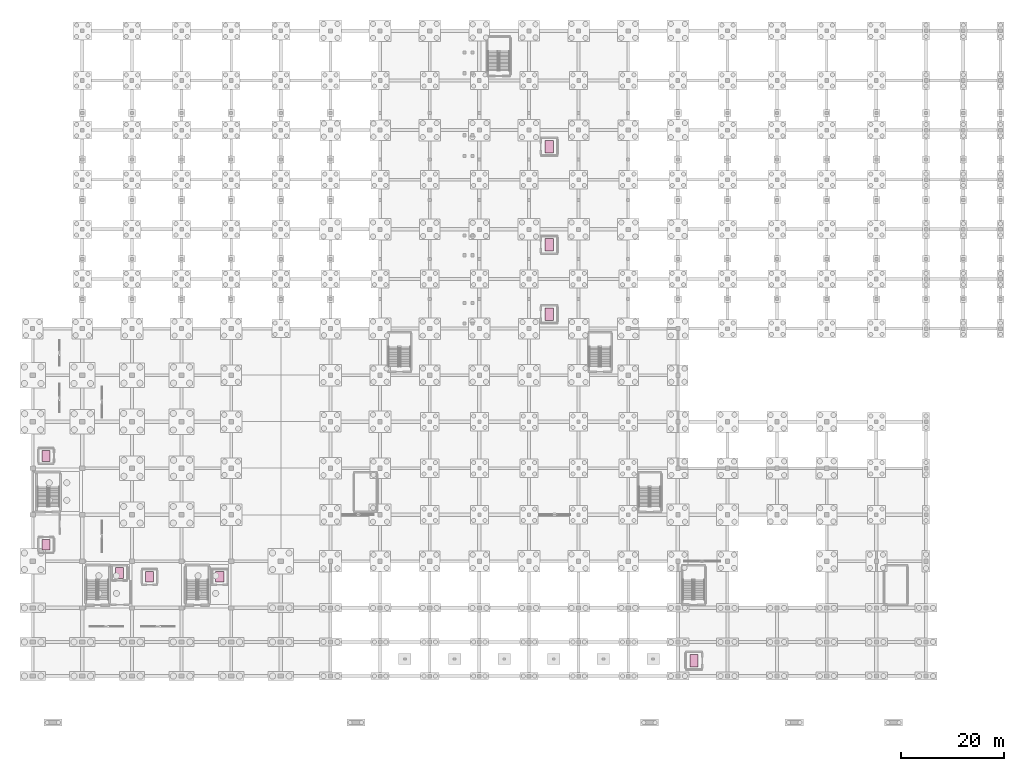
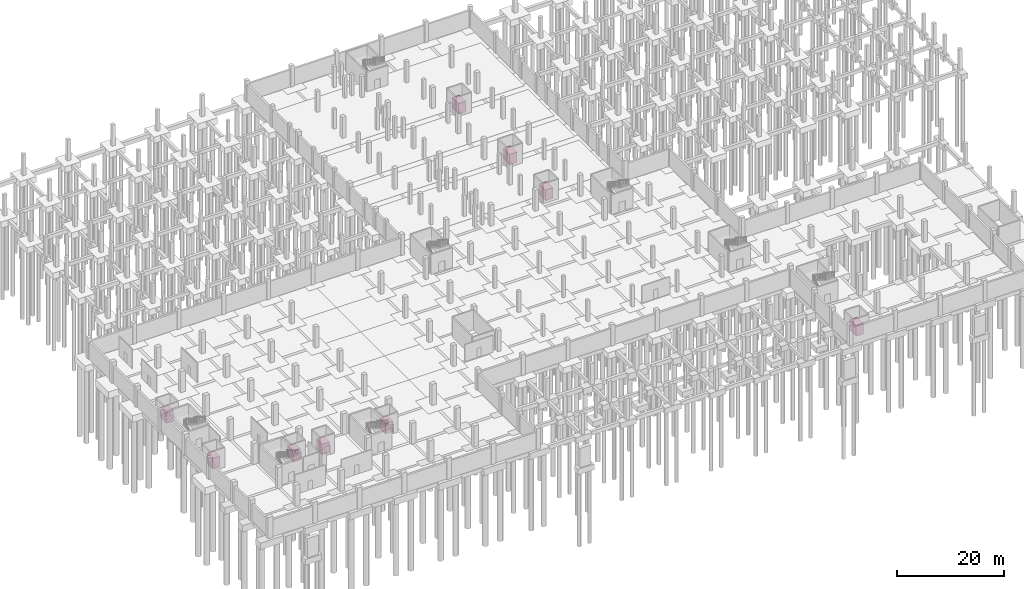
# One storey, part 39 of 39: 9 transport elements.
"""IFC4 building model written with IfcOpenShell, lengths in metres."""

from ifc_helpers import new_model, si_unit, direction, frame, origin, origin_2d, place, context, subcontext, project, spatial, rectangle, extrude, material, type_object, element, save


model = new_model("IFC4")

# Units and contexts
model_context = context("Model", 3, precision=1e-05, world=origin(), true_north=direction((0.0, 1.0)))
body_context = subcontext(model_context, "Body", "Model", "MODEL_VIEW")
ifc_project = project(units=[si_unit("LENGTHUNIT", "METRE"), si_unit("AREAUNIT", "SQUARE_METRE"), si_unit("VOLUMEUNIT", "CUBIC_METRE"), si_unit("PLANEANGLEUNIT", "RADIAN"), si_unit("MASSUNIT", "GRAM", prefix="KILO")], contexts=[model_context])

# Site, building, storey
site_placement = place(None, origin())
site = spatial("IfcSite", under=ifc_project, at=site_placement, CompositionType="ELEMENT")
building_placement = place(site_placement, origin())
building = spatial("IfcBuilding", under=site, at=building_placement, Name="Zarnetskaya Central Station", CompositionType="ELEMENT")
storey_placement = place(building_placement, frame((0.0, 0.0, -4.800048828125)))
storey = spatial("IfcBuildingStorey", under=building, at=storey_placement, Name="B1", CompositionType="ELEMENT", Elevation=-4.800048828125)

# Transport elements
ifc_material = material(Name="Anodised aluminium", Category="aluminium")
transport_element_type_1 = type_object("IfcTransportElementType", Name="LIFT-FF-1600", PredefinedType="ELEVATOR", material=ifc_material)
for number, where, z_axis, x_axis, name in (
    (1, (16.800048828125, 19.949951171875, 0.0), (0.0, 0.0, 1.0), (1.0, 0.0, 0.0), "Lift FL-01"),
    (2, (2.60009765625, 25.39990234375, 0.0), (0.0, 0.0, 1.0), (1.0, 0.0, 0.0), "Lift FL-02"),
):
    element("IfcTransportElement", number, at=place(storey_placement, frame(where, z_axis=z_axis, x_axis=x_axis)), inside=storey, type_object=transport_element_type_1, Name=name, PredefinedType="ELEVATOR", context=body_context, shape_type="SweptSolid", body=[
        extrude(rectangle(XDim=1.60009765625, YDim=2.10009765625, at=origin_2d()), origin(), (0.0, 0.0, 1.0), 2.39990234375),
    ])
transport_element_type_2 = type_object("IfcTransportElementType", Name="LIFT-PAX-1600", PredefinedType="ELEVATOR", material=ifc_material)
for number, where, z_axis, x_axis, name in (
    (3, (22.60009765625, 19.199951171875, 0.0), (0.0, 0.0, 1.0), (1.0, 0.0, 0.0), "Lift LP-01"),
    (4, (2.60009765625, 42.60009765625, 0.0), (0.0, 0.0, 1.0), (1.0, 0.0, 0.0), "Lift LP-02"),
    (5, (36.199951171875, 19.199951171875, 0.0), (0.0, 0.0, 1.0), (1.0, 0.0, 0.0), "Lift LP-03"),
):
    element("IfcTransportElement", number, at=place(storey_placement, frame(where, z_axis=z_axis, x_axis=x_axis)), inside=storey, type_object=transport_element_type_2, Name=name, PredefinedType="ELEVATOR", context=body_context, shape_type="SweptSolid", body=[
        extrude(rectangle(XDim=1.60009765625, YDim=2.10009765625, at=origin_2d()), origin(), (0.0, 0.0, 1.0), 2.39990234375),
    ])
transport_element_type_3 = type_object("IfcTransportElementType", Name="LIFT-STR-2000", PredefinedType="ELEVATOR", material=ifc_material)
for number, where, z_axis, x_axis, name in (
    (6, (99.89990234375, 70.0, 0.0), (0.0, 0.0, 1.0), (1.0, 0.0, 0.0), "Lift LP-04"),
    (7, (99.89990234375, 83.39990234375, 0.0), (0.0, 0.0, 1.0), (1.0, 0.0, 0.0), "Lift LP-05"),
    (8, (99.89990234375, 102.39990234375, 0.0), (0.0, 0.0, 1.0), (1.0, 0.0, 0.0), "Lift LP-06"),
    (9, (127.89990234375, 3.0, 0.0), (0.0, 0.0, 1.0), (1.0, 0.0, 0.0), "Lift LP-07"),
):
    element("IfcTransportElement", number, at=place(storey_placement, frame(where, z_axis=z_axis, x_axis=x_axis)), inside=storey, type_object=transport_element_type_3, Name=name, PredefinedType="ELEVATOR", context=body_context, shape_type="SweptSolid", body=[
        extrude(rectangle(XDim=1.60009765625, YDim=2.39990234375, at=origin_2d()), origin(), (0.0, 0.0, 1.0), 2.39990234375),
    ])

save(model, "model.ifc")
